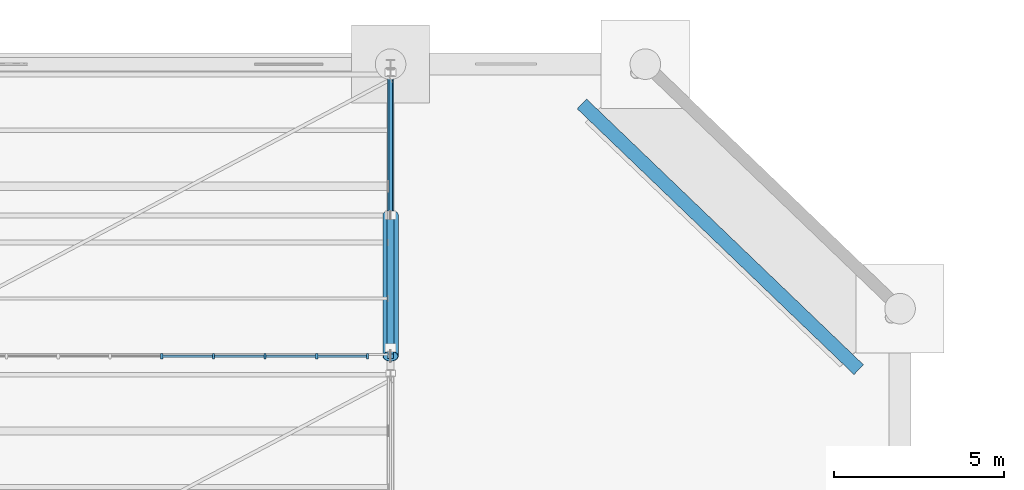
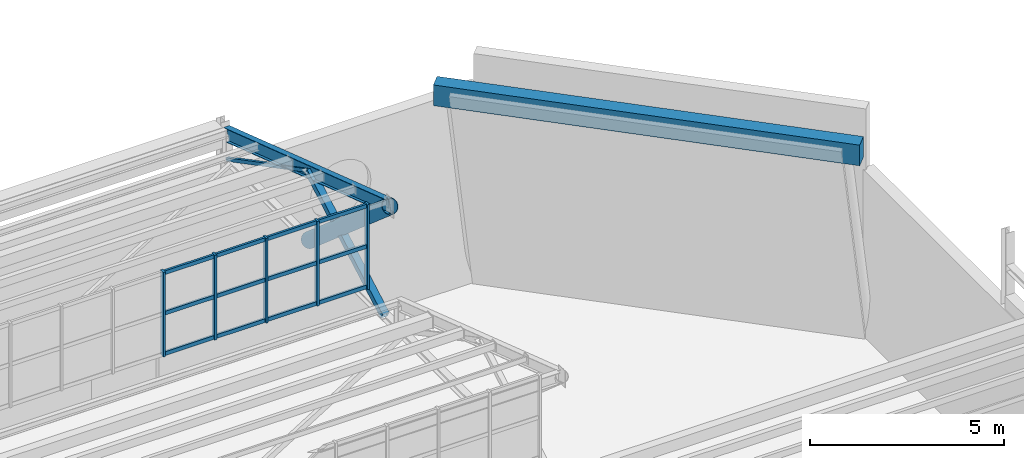
# One storey, part 139 of 285: 20 members, 2 beams, 1 element without a shape of its own.
"""IFC4 building model written with IfcOpenShell, lengths in metres."""

import ifcopenshell
import ifcopenshell.guid

model = None  # the IFC model being written
_history = None  # IfcOwnerHistory: only IFC2X3 demands one
_inside = {}  # id of a spatial element -> (the spatial element, [elements in it])
_under = {}  # id of a project, library or spatial element -> (it, [spatial elements below it])
_declared = {}  # id of a project -> (the project, [libraries it declares])
_typed = {}  # id of a type object -> (the type object, [elements of that type])
_made_of = {}  # id of a material, layer set ... -> (it, [elements and type objects made of it])


def new_model(schema):
    """Start an empty IFC model of exactly this schema.

    Asked for "IFC4X3", IfcOpenShell would pick the latest addendum, in which some entities
    have other attributes; the version numbers below select the first issue.
    IFC2X3 requires an IfcOwnerHistory on every rooted entity: one is made here for all.
    """
    global model, _history
    if schema == "IFC4X3":
        model = ifcopenshell.file(schema_version=(4, 3, 0, 0))
    else:
        model = ifcopenshell.file(schema=schema)
    _inside.clear()
    _under.clear()
    _declared.clear()
    _typed.clear()
    _made_of.clear()
    _history = None
    if model.schema == "IFC2X3":
        org = make("IfcOrganization", Name="unknown")
        user = make(
            "IfcPersonAndOrganization",
            ThePerson=make("IfcPerson", FamilyName="unknown"),
            TheOrganization=org,
        )
        app = make(
            "IfcApplication",
            ApplicationDeveloper=org,
            Version="unknown",
            ApplicationFullName="unknown",
            ApplicationIdentifier="unknown",
        )
        _history = make(
            "IfcOwnerHistory",
            OwningUser=user,
            OwningApplication=app,
            ChangeAction="ADDED",
            CreationDate=0,
        )
    return model


def make(cls, **values):
    """One entity of the class cls with the attributes given. An attribute that is None is left unset."""
    return model.create_entity(
        cls, **{name: value for name, value in values.items() if value is not None}
    )


def rooted(cls, **values):
    """An entity with a GlobalId (a new one), such as an element, a storey or a relation."""
    return make(cls, GlobalId=ifcopenshell.guid.new(), OwnerHistory=_history, **values)


def si_unit(unit_type, name, prefix=None):
    """IfcSIUnit, for example si_unit("LENGTHUNIT", "METRE", prefix="MILLI")."""
    return make("IfcSIUnit", UnitType=unit_type, Prefix=prefix, Name=name)


def assignment(units):
    """IfcUnitAssignment: the units of a project."""
    return None if units is None else make("IfcUnitAssignment", Units=units)


def point(xyz):
    """IfcCartesianPoint."""
    return None if xyz is None else make("IfcCartesianPoint", Coordinates=xyz)


def direction(xyz):
    """IfcDirection."""
    return None if xyz is None else make("IfcDirection", DirectionRatios=xyz)


def frame(location, z_axis=None, x_axis=None):
    """IfcAxis2Placement3D, a coordinate frame: its origin and axes. An axis left out is left unset."""
    return make(
        "IfcAxis2Placement3D",
        Location=point(location),
        Axis=direction(z_axis),
        RefDirection=direction(x_axis),
    )


def frame_2d(location, x_axis=None):
    """IfcAxis2Placement2D, a coordinate frame in the plane: its origin and x axis."""
    return make(
        "IfcAxis2Placement2D", Location=point(location), RefDirection=direction(x_axis)
    )


def origin():
    """The frame at (0, 0, 0) with its axes left unset."""
    return frame((0.0, 0.0, 0.0))


def origin_2d():
    """The frame at (0, 0) in the plane with its x axis left unset."""
    return frame_2d((0.0, 0.0))


def place(relative_to, where):
    """IfcLocalPlacement: puts the frame where relative to a parent placement (None: the world)."""
    return make(
        "IfcLocalPlacement", PlacementRelTo=relative_to, RelativePlacement=where
    )


def context(
    kind, dimensions, precision=None, world=None, true_north=None, identifier=None
):
    """IfcGeometricRepresentationContext, for example the 3D "Model" context."""
    return make(
        "IfcGeometricRepresentationContext",
        ContextIdentifier=identifier,
        ContextType=kind,
        CoordinateSpaceDimension=dimensions,
        Precision=precision,
        WorldCoordinateSystem=world,
        TrueNorth=true_north,
    )


def subcontext(parent, identifier, kind, view, scale=None):
    """IfcGeometricRepresentationSubContext, for example "Body" below "Model"."""
    return make(
        "IfcGeometricRepresentationSubContext",
        ContextIdentifier=identifier,
        ContextType=kind,
        ParentContext=parent,
        TargetScale=scale,
        TargetView=view,
    )


def project(units=None, contexts=None):
    """IfcProject with its units and contexts."""
    return rooted(
        "IfcProject",
        Name="project",
        RepresentationContexts=contexts,
        UnitsInContext=assignment(units),
    )


def spatial(cls, under=None, at=None, **own):
    """A site, building, storey or space (cls), placed at a placement, below another one or the project."""
    s = rooted(cls, ObjectPlacement=at, **own)
    if under is not None:
        _under.setdefault(under.id(), (under, []))[1].append(s)
    return s


def profile(cls, at=None, kind="AREA", **sizes):
    """A parametric profile (cls). Its sizes go by their IFC names, for example OverallWidth=200.0."""
    return make(cls, ProfileType=kind, Position=at, **sizes)


def rectangle(**sizes):
    """IfcRectangleProfileDef."""
    return profile("IfcRectangleProfileDef", **sizes)


def hollow_rectangle(**sizes):
    """IfcRectangleHollowProfileDef."""
    return profile("IfcRectangleHollowProfileDef", **sizes)


def hollow_circle(**sizes):
    """IfcCircleHollowProfileDef."""
    return profile("IfcCircleHollowProfileDef", **sizes)


def i_section(**sizes):
    """IfcIShapeProfileDef."""
    return profile("IfcIShapeProfileDef", **sizes)


def extrude(swept, where, along, depth):
    """IfcExtrudedAreaSolid: the profile swept, set in the frame where, extruded along a direction by depth."""
    return make(
        "IfcExtrudedAreaSolid",
        SweptArea=swept,
        Position=where,
        ExtrudedDirection=direction(along),
        Depth=depth,
    )


def shape(context_of_items, identifier, shape_type, items):
    """IfcShapeRepresentation: the items that make up one representation, for example the "Body"."""
    return make(
        "IfcShapeRepresentation",
        ContextOfItems=context_of_items,
        RepresentationIdentifier=identifier,
        RepresentationType=shape_type,
        Items=items,
    )


def material(Name=None, Category=None):
    """IfcMaterial."""
    return make("IfcMaterial", Name=Name, Category=Category)


def material_profile(
    of_material, cross_section, Name=None, Category=None, Priority=None
):
    """IfcMaterialProfile: a cross section and its material."""
    return make(
        "IfcMaterialProfile",
        Name=Name,
        Material=of_material,
        Profile=cross_section,
        Priority=Priority,
        Category=Category,
    )


def profile_set(profiles, Name=None, composite=None):
    """IfcMaterialProfileSet."""
    return make(
        "IfcMaterialProfileSet",
        Name=Name,
        MaterialProfiles=profiles,
        CompositeProfile=composite,
    )


def made_of(thing, what):
    """Note that an element or type object is made of a material, layer set ...; save() writes the relation."""
    if what is not None:
        _made_of.setdefault(what.id(), (what, []))[1].append(thing)
    return thing


def type_object(cls, material=None, **own):
    """A type object (cls), such as IfcWallType, which elements share."""
    return made_of(rooted(cls, **own), material)


def element(
    cls,
    number,
    at=None,
    inside=None,
    cuts=None,
    type_object=None,
    material=None,
    context=None,
    identifier="Body",
    shape_type=None,
    held_by="IfcProductDefinitionShape",
    body=None,
    shapes=None,
    **own,
):
    """One element of the class cls, such as IfcWall. Its Tag is "e" and its number.

    at: its placement. inside: the storey or other place that contains it. cuts: it is an
    opening in that element (IfcRelVoidsElement). A single representation is given by context,
    identifier, shape_type and body (its items); several are given by shapes. held_by: the class
    of the entity that holds the representations. save() writes the other relations.
    """
    e = rooted(cls, Tag="e%d" % number, ObjectPlacement=at, **own)
    if body is not None:
        shapes = [shape(context, identifier, shape_type, body)]
    if shapes is not None:
        e.Representation = make(held_by, Representations=shapes)
    if inside is not None:
        _inside.setdefault(inside.id(), (inside, []))[1].append(e)
    if cuts is not None:
        rooted(
            "IfcRelVoidsElement", RelatingBuildingElement=cuts, RelatedOpeningElement=e
        )
    if type_object is not None:
        _typed.setdefault(type_object.id(), (type_object, []))[1].append(e)
    return made_of(e, material)


def aggregate(whole, parts):
    """IfcRelAggregates: a whole, such as a stair, and the parts it consists of."""
    return rooted("IfcRelAggregates", RelatingObject=whole, RelatedObjects=parts)


def save(model, path):
    """Write the relations noted so far, then the file.

    IfcRelAggregates (storeys below a building ...), IfcRelContainedInSpatialStructure (elements
    in a storey), IfcRelDefinesByType, IfcRelAssociatesMaterial and IfcRelDeclares: one each for
    every whole, place, type object, material and project.
    """
    for whole, parts in _under.values():
        aggregate(whole, parts)
    for where, things in _inside.values():
        rooted(
            "IfcRelContainedInSpatialStructure",
            RelatedElements=things,
            RelatingStructure=where,
        )
    for kind, things in _typed.values():
        rooted("IfcRelDefinesByType", RelatedObjects=things, RelatingType=kind)
    for what, things in _made_of.values():
        rooted("IfcRelAssociatesMaterial", RelatedObjects=things, RelatingMaterial=what)
    for by, libraries in _declared.values():
        rooted("IfcRelDeclares", RelatingContext=by, RelatedDefinitions=libraries)
    model.write(path)


model = new_model("IFC4")

# Units and contexts
model_context = context("Model", 3, precision=1e-05, world=origin(), true_north=direction((0.0, 1.0)))
body_context = subcontext(model_context, "Body", "Model", "MODEL_VIEW")
ifc_project = project(units=[si_unit("LENGTHUNIT", "METRE"), si_unit("AREAUNIT", "SQUARE_METRE"), si_unit("VOLUMEUNIT", "CUBIC_METRE"), si_unit("PLANEANGLEUNIT", "RADIAN"), si_unit("MASSUNIT", "GRAM", prefix="KILO")], contexts=[model_context])

# Site, building, storey
site_placement = place(None, origin())
site = spatial("IfcSite", under=ifc_project, at=site_placement, CompositionType="ELEMENT")
building_placement = place(site_placement, origin())
building = spatial("IfcBuilding", under=site, at=building_placement, Name="Solanera Park Tramway Depot", CompositionType="ELEMENT")
storey_placement = place(building_placement, origin())
storey = spatial("IfcBuildingStorey", under=building, at=storey_placement, Name="L00", CompositionType="ELEMENT", Elevation=0.0)

# Curtain wall, members
ifc_material_1 = material(Name="Bronze-anodised thermally broken aluminium curtain wall", Category="aluminium")
curtain_wall_type = type_object("IfcCurtainWallType", Name="Sawtooth Clerestory Monitor Curtain Wall", PredefinedType="NOTDEFINED", material=ifc_material_1)
curtain_wall_placement = place(storey_placement, origin())
curtain_wall = element("IfcCurtainWall", 1, at=curtain_wall_placement, inside=storey, type_object=curtain_wall_type, Name="L00 Sawtooth Clerestory Monitor Curtain Wall #071", PredefinedType="NOTDEFINED")
ifc_material_2 = material(Name="Bronze-anodised structural aluminium 6063-T6", Category="aluminium")
ifc_material_profile_1 = material_profile(ifc_material_2, rectangle(XDim=0.06494140625, YDim=0.14990234375, at=origin_2d()), Name="Curtain Wall Mullion 65x150")
ifc_profile_set_1 = profile_set([ifc_material_profile_1], Name="Bronze-anodised structural aluminium 6063-T6")
member_type_1 = type_object("IfcMemberType", Name="Curtain Wall Mullion 65x150", PredefinedType="MULLION", material=ifc_profile_set_1)
member_1_placement = place(storey_placement, frame((128.260986328125, 135.39990234375, 7.75), z_axis=(0.0, 0.0, 1.0), x_axis=(1.0, 0.0, 0.0)))
member_1 = element("IfcMember", 2, at=member_1_placement, type_object=member_type_1, Name="CW-L00-071 Mullion 6", PredefinedType="MULLION", context=body_context, shape_type="SweptSolid", body=[
    extrude(rectangle(XDim=0.06494140625, YDim=0.14990234375, at=origin_2d()), origin(), (0.0, 0.0, 1.0), 2.6611328125),
])
member_2_placement = place(storey_placement, frame((129.783203125, 135.39990234375, 7.75), z_axis=(0.0, 0.0, 1.0), x_axis=(1.0, 0.0, 0.0)))
member_2 = element("IfcMember", 3, at=member_2_placement, type_object=member_type_1, Name="CW-L00-071 Mullion 7", PredefinedType="MULLION", context=body_context, shape_type="SweptSolid", body=[
    extrude(rectangle(XDim=0.06494140625, YDim=0.14990234375, at=origin_2d()), origin(), (0.0, 0.0, 1.0), 2.6611328125),
])
member_3_placement = place(storey_placement, frame((131.3056640625, 135.39990234375, 7.75), z_axis=(0.0, 0.0, 1.0), x_axis=(1.0, 0.0, 0.0)))
member_3 = element("IfcMember", 4, at=member_3_placement, type_object=member_type_1, Name="CW-L00-071 Mullion 8", PredefinedType="MULLION", context=body_context, shape_type="SweptSolid", body=[
    extrude(rectangle(XDim=0.06494140625, YDim=0.14990234375, at=origin_2d()), origin(), (0.0, 0.0, 1.0), 2.6611328125),
])
member_4_placement = place(storey_placement, frame((132.827880859375, 135.39990234375, 7.75), z_axis=(0.0, 0.0, 1.0), x_axis=(1.0, 0.0, 0.0)))
member_4 = element("IfcMember", 5, at=member_4_placement, type_object=member_type_1, Name="CW-L00-071 Mullion 9", PredefinedType="MULLION", context=body_context, shape_type="SweptSolid", body=[
    extrude(rectangle(XDim=0.06494140625, YDim=0.14990234375, at=origin_2d()), origin(), (0.0, 0.0, 1.0), 2.6611328125),
])
member_5_placement = place(storey_placement, frame((134.3173828125, 135.39990234375, 7.75), z_axis=(0.0, 0.0, 1.0), x_axis=(1.0, 0.0, 0.0)))
member_5 = element("IfcMember", 6, at=member_5_placement, type_object=member_type_1, Name="CW-L00-071 Mullion 10", PredefinedType="MULLION", context=body_context, shape_type="SweptSolid", body=[
    extrude(rectangle(XDim=0.06494140625, YDim=0.14990234375, at=origin_2d()), origin(), (0.0, 0.0, 1.0), 2.6611328125),
])
ifc_material_3 = material(Name="Bronze-anodised structural aluminium 6063-T6", Category="aluminium")
ifc_material_profile_2 = material_profile(ifc_material_3, rectangle(XDim=0.06494140625, YDim=0.1201171875, at=origin_2d()), Name="Curtain Wall Transom 65x120")
ifc_profile_set_2 = profile_set([ifc_material_profile_2], Name="Bronze-anodised structural aluminium 6063-T6")
member_type_2 = type_object("IfcMemberType", Name="Curtain Wall Transom 65x120", PredefinedType="USERDEFINED", material=ifc_profile_set_2)
member_6_placement = place(storey_placement, frame((128.2890625, 135.39990234375, 7.81005859375), z_axis=(1.0, 0.0, 0.0), x_axis=(0.0, 1.0, 0.0)))
member_6 = element("IfcMember", 7, at=member_6_placement, type_object=member_type_2, Name="CW-L00-071 Transom R1.C6", ObjectType="TRANSOM", PredefinedType="USERDEFINED", context=body_context, shape_type="SweptSolid", body=[
    extrude(rectangle(XDim=0.06494140625, YDim=0.1201171875, at=origin_2d()), origin(), (0.0, 0.0, 1.0), 1.46630859375),
])
member_7_placement = place(storey_placement, frame((129.811279296875, 135.39990234375, 7.81005859375), z_axis=(1.0, 0.0, 0.0), x_axis=(0.0, 1.0, 0.0)))
member_7 = element("IfcMember", 8, at=member_7_placement, type_object=member_type_2, Name="CW-L00-071 Transom R1.C7", ObjectType="TRANSOM", PredefinedType="USERDEFINED", context=body_context, shape_type="SweptSolid", body=[
    extrude(rectangle(XDim=0.06494140625, YDim=0.1201171875, at=origin_2d()), origin(), (0.0, 0.0, 1.0), 1.46630859375),
])
member_8_placement = place(storey_placement, frame((131.33349609375, 135.39990234375, 7.81005859375), z_axis=(1.0, 0.0, 0.0), x_axis=(0.0, 1.0, 0.0)))
member_8 = element("IfcMember", 9, at=member_8_placement, type_object=member_type_2, Name="CW-L00-071 Transom R1.C8", ObjectType="TRANSOM", PredefinedType="USERDEFINED", context=body_context, shape_type="SweptSolid", body=[
    extrude(rectangle(XDim=0.06494140625, YDim=0.1201171875, at=origin_2d()), origin(), (0.0, 0.0, 1.0), 1.46630859375),
])
member_9_placement = place(storey_placement, frame((132.855712890625, 135.39990234375, 7.81005859375), z_axis=(1.0, 0.0, 0.0), x_axis=(0.0, 1.0, 0.0)))
member_9 = element("IfcMember", 10, at=member_9_placement, type_object=member_type_2, Name="CW-L00-071 Transom R1.C9", ObjectType="TRANSOM", PredefinedType="USERDEFINED", context=body_context, shape_type="SweptSolid", body=[
    extrude(rectangle(XDim=0.06494140625, YDim=0.1201171875, at=origin_2d()), origin(), (0.0, 0.0, 1.0), 1.433837890625),
])
member_10_placement = place(storey_placement, frame((128.2890625, 135.39990234375, 9.08056640625), z_axis=(1.0, 0.0, 0.0), x_axis=(0.0, 1.0, 0.0)))
member_10 = element("IfcMember", 11, at=member_10_placement, type_object=member_type_2, Name="CW-L00-071 Transom R2.C6", ObjectType="TRANSOM", PredefinedType="USERDEFINED", context=body_context, shape_type="SweptSolid", body=[
    extrude(rectangle(XDim=0.06494140625, YDim=0.1201171875, at=origin_2d()), origin(), (0.0, 0.0, 1.0), 1.46630859375),
])
member_11_placement = place(storey_placement, frame((129.811279296875, 135.39990234375, 9.08056640625), z_axis=(1.0, 0.0, 0.0), x_axis=(0.0, 1.0, 0.0)))
member_11 = element("IfcMember", 12, at=member_11_placement, type_object=member_type_2, Name="CW-L00-071 Transom R2.C7", ObjectType="TRANSOM", PredefinedType="USERDEFINED", context=body_context, shape_type="SweptSolid", body=[
    extrude(rectangle(XDim=0.06494140625, YDim=0.1201171875, at=origin_2d()), origin(), (0.0, 0.0, 1.0), 1.46630859375),
])
member_12_placement = place(storey_placement, frame((131.33349609375, 135.39990234375, 9.08056640625), z_axis=(1.0, 0.0, 0.0), x_axis=(0.0, 1.0, 0.0)))
member_12 = element("IfcMember", 13, at=member_12_placement, type_object=member_type_2, Name="CW-L00-071 Transom R2.C8", ObjectType="TRANSOM", PredefinedType="USERDEFINED", context=body_context, shape_type="SweptSolid", body=[
    extrude(rectangle(XDim=0.06494140625, YDim=0.1201171875, at=origin_2d()), origin(), (0.0, 0.0, 1.0), 1.46630859375),
])
member_13_placement = place(storey_placement, frame((132.855712890625, 135.39990234375, 9.08056640625), z_axis=(1.0, 0.0, 0.0), x_axis=(0.0, 1.0, 0.0)))
member_13 = element("IfcMember", 14, at=member_13_placement, type_object=member_type_2, Name="CW-L00-071 Transom R2.C9", ObjectType="TRANSOM", PredefinedType="USERDEFINED", context=body_context, shape_type="SweptSolid", body=[
    extrude(rectangle(XDim=0.06494140625, YDim=0.1201171875, at=origin_2d()), origin(), (0.0, 0.0, 1.0), 1.433837890625),
])
member_14_placement = place(storey_placement, frame((128.2890625, 135.39990234375, 10.351318359375), z_axis=(1.0, 0.0, 0.0), x_axis=(0.0, 1.0, 0.0)))
member_14 = element("IfcMember", 15, at=member_14_placement, type_object=member_type_2, Name="CW-L00-071 Transom R3.C6", ObjectType="TRANSOM", PredefinedType="USERDEFINED", context=body_context, shape_type="SweptSolid", body=[
    extrude(rectangle(XDim=0.06494140625, YDim=0.1201171875, at=origin_2d()), origin(), (0.0, 0.0, 1.0), 1.46630859375),
])
member_15_placement = place(storey_placement, frame((129.811279296875, 135.39990234375, 10.351318359375), z_axis=(1.0, 0.0, 0.0), x_axis=(0.0, 1.0, 0.0)))
member_15 = element("IfcMember", 16, at=member_15_placement, type_object=member_type_2, Name="CW-L00-071 Transom R3.C7", ObjectType="TRANSOM", PredefinedType="USERDEFINED", context=body_context, shape_type="SweptSolid", body=[
    extrude(rectangle(XDim=0.06494140625, YDim=0.1201171875, at=origin_2d()), origin(), (0.0, 0.0, 1.0), 1.46630859375),
])
member_16_placement = place(storey_placement, frame((131.33349609375, 135.39990234375, 10.351318359375), z_axis=(1.0, 0.0, 0.0), x_axis=(0.0, 1.0, 0.0)))
member_16 = element("IfcMember", 17, at=member_16_placement, type_object=member_type_2, Name="CW-L00-071 Transom R3.C8", ObjectType="TRANSOM", PredefinedType="USERDEFINED", context=body_context, shape_type="SweptSolid", body=[
    extrude(rectangle(XDim=0.06494140625, YDim=0.1201171875, at=origin_2d()), origin(), (0.0, 0.0, 1.0), 1.46630859375),
])
member_17_placement = place(storey_placement, frame((132.855712890625, 135.39990234375, 10.351318359375), z_axis=(1.0, 0.0, 0.0), x_axis=(0.0, 1.0, 0.0)))
member_17 = element("IfcMember", 18, at=member_17_placement, type_object=member_type_2, Name="CW-L00-071 Transom R3.C9", ObjectType="TRANSOM", PredefinedType="USERDEFINED", context=body_context, shape_type="SweptSolid", body=[
    extrude(rectangle(XDim=0.06494140625, YDim=0.1201171875, at=origin_2d()), origin(), (0.0, 0.0, 1.0), 1.433837890625),
])
aggregate(curtain_wall, [member_1, member_2, member_3, member_4, member_5, member_6, member_7, member_8, member_9, member_10, member_11, member_12, member_13, member_14, member_15, member_16, member_17])

# Beam
ifc_material_4 = material(Name="Concrete N40 (C40/50)", Category="concrete")
ifc_material_profile_3 = material_profile(ifc_material_4, rectangle(XDim=0.39990234375, YDim=0.64990234375, at=origin_2d()), Name="SPB 400x650")
ifc_profile_set_3 = profile_set([ifc_material_profile_3], Name="Concrete N40 (C40/50)")
beam_type_1 = type_object("IfcBeamType", Name="Perimeter Spandrel Beam SPB 400x650", PredefinedType="SPANDREL", material=ifc_profile_set_3)
beam_1_placement = place(storey_placement, frame((148.78271484375, 135.00634765625, 7.219970703125), z_axis=(-0.721395958426, 0.692522830791, 0.0), x_axis=(-0.692522830791, -0.721395958426, 0.0)))
element("IfcBeam", 19, at=beam_1_placement, inside=storey, type_object=beam_type_1, Name="L00 V1 Carved Corner Eave Spandrel NE", PredefinedType="SPANDREL", context=body_context, shape_type="SweptSolid", body=[
    extrude(rectangle(XDim=0.39990234375, YDim=0.64990234375, at=origin_2d()), origin(), (0.0, 0.0, 1.0), 11.296630859375),
])

# Member
ifc_material_5 = material(Name="Steel AS/NZS 1163 Grade C350L0", Category="steel")
ifc_material_profile_4 = material_profile(ifc_material_5, hollow_rectangle(XDim=0.199951171875, YDim=0.199951171875, WallThickness=0.008056640625, at=origin_2d()), Name="200x200x8.0 SHS")
ifc_profile_set_4 = profile_set([ifc_material_profile_4], Name="Steel AS/NZS 1163 Grade C350L0")
member_type_3 = type_object("IfcMemberType", Name="Roof Gantry Compression Strut 200x200x8.0 SHS", PredefinedType="STRUT", material=ifc_profile_set_4)
member_18_placement = place(storey_placement, frame((135.0, 135.64990234375, 6.5), z_axis=(0.0, 0.871644015716, 0.490139480011), x_axis=(-1.0, 0.0, 0.0)))
element("IfcMember", 20, at=member_18_placement, inside=storey, type_object=member_type_3, Name="Sawtooth ROOF TRUSS Strut 200x200x8.0 SHS #0424", PredefinedType="STRUT", context=body_context, shape_type="SweptSolid", body=[
    extrude(hollow_rectangle(XDim=0.199951171875, YDim=0.199951171875, WallThickness=0.008056640625, at=origin_2d()), origin(), (0.0, 0.0, 1.0), 4.474365234375),
])

# Beam
ifc_material_6 = material(Name="Steel AS/NZS 3679.1 Grade 350", Category="steel")
ifc_material_profile_5 = material_profile(ifc_material_6, i_section(OverallWidth=0.177734375, OverallDepth=0.406494140625, WebThickness=0.0078125, FlangeThickness=0.0126953125, at=origin_2d()), Name="410UB59.7")
ifc_profile_set_5 = profile_set([ifc_material_profile_5], Name="Steel AS/NZS 3679.1 Grade 350")
beam_type_2 = type_object("IfcBeamType", Name="Steel Beam 410UB59.7", PredefinedType="BEAM", material=ifc_profile_set_5)
beam_2_placement = place(storey_placement, frame((135.0, 135.39990234375, 10.08154296875), z_axis=(0.0, 0.948322229475, -0.317308917435), x_axis=(-1.0, 0.0, 0.0)))
element("IfcBeam", 21, at=beam_2_placement, inside=storey, type_object=beam_type_2, Name="Sawtooth ROOF TRUSS Top Rafter 410UB59.7 B10-T8", PredefinedType="BEAM", context=body_context, shape_type="SweptSolid", body=[
    extrude(i_section(OverallWidth=0.177734375, OverallDepth=0.406494140625, WebThickness=0.0078125, FlangeThickness=0.0126953125, at=origin_2d()), origin(), (0.0, 0.0, 1.0), 8.80517578125),
])

# Members
ifc_material_7 = material(Name="Steel AS/NZS 1163 Grade C350L0", Category="steel")
ifc_material_profile_6 = material_profile(ifc_material_7, hollow_rectangle(XDim=0.10009765625, YDim=0.10009765625, WallThickness=0.0048828125, at=origin_2d()), Name="100x100x5.0 SHS")
ifc_profile_set_6 = profile_set([ifc_material_profile_6], Name="Steel AS/NZS 1163 Grade C350L0")
member_type_4 = type_object("IfcMemberType", Name="Truss and Frame Brace 100x100x5.0 SHS", PredefinedType="BRACE", material=ifc_profile_set_6)
member_19_placement = place(storey_placement, frame((135.0, 143.75, 6.5), z_axis=(0.0, -0.886425847493, 0.462870626521), x_axis=(1.0, 0.0, 0.0)))
element("IfcMember", 22, at=member_19_placement, inside=storey, type_object=member_type_4, Name="Sawtooth ROOF TRUSS Diagonal 100x100x5.0 SHS #0423", PredefinedType="BRACE", context=body_context, shape_type="SweptSolid", body=[
    extrude(hollow_rectangle(XDim=0.10009765625, YDim=0.10009765625, WallThickness=0.0048828125, at=origin_2d()), origin(), (0.0, 0.0, 1.0), 4.738037109375),
])
ifc_material_8 = material(Name="Steel AS/NZS 1163 Grade C350L0", Category="steel")
ifc_material_profile_7 = material_profile(ifc_material_8, hollow_circle(Radius=0.228515625, WallThickness=0.0126953125, at=origin_2d()), Name="457.0x12.7 CHS")
ifc_profile_set_7 = profile_set([ifc_material_profile_7], Name="Steel AS/NZS 1163 Grade C350L0")
member_type_5 = type_object("IfcMemberType", Name="Truss and Frame Brace 457.0x12.7 CHS", PredefinedType="BRACE", material=ifc_profile_set_7)
member_20_placement = place(storey_placement, frame((135.0, 139.550048828125, 6.5), z_axis=(0.0, -0.757064292854, 0.653340383327), x_axis=(1.0, 0.0, 0.0)))
element("IfcMember", 23, at=member_20_placement, inside=storey, type_object=member_type_5, Name="Sawtooth ROOF TRUSS Web Brace 457.0x12.7 CHS #0422", PredefinedType="BRACE", context=body_context, shape_type="SweptSolid", body=[
    extrude(hollow_circle(Radius=0.228515625, WallThickness=0.0126953125, at=origin_2d()), origin(), (0.0, 0.0, 1.0), 5.48193359375),
])

save(model, "model.ifc")
